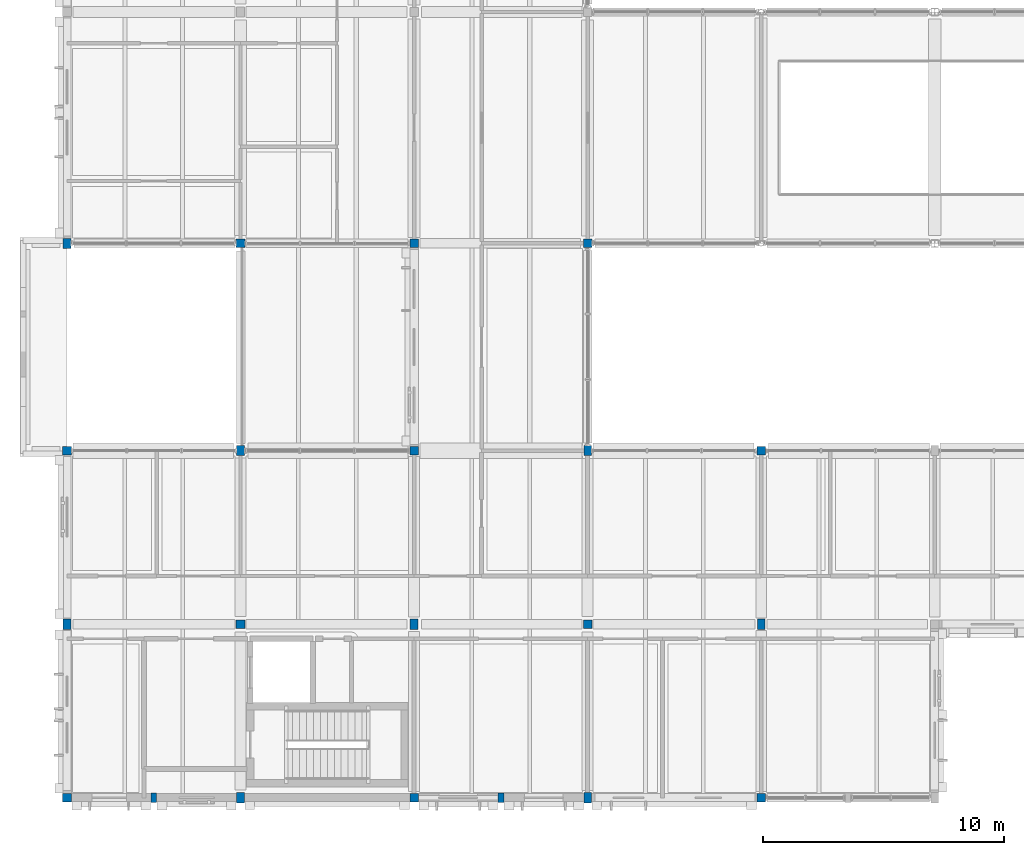
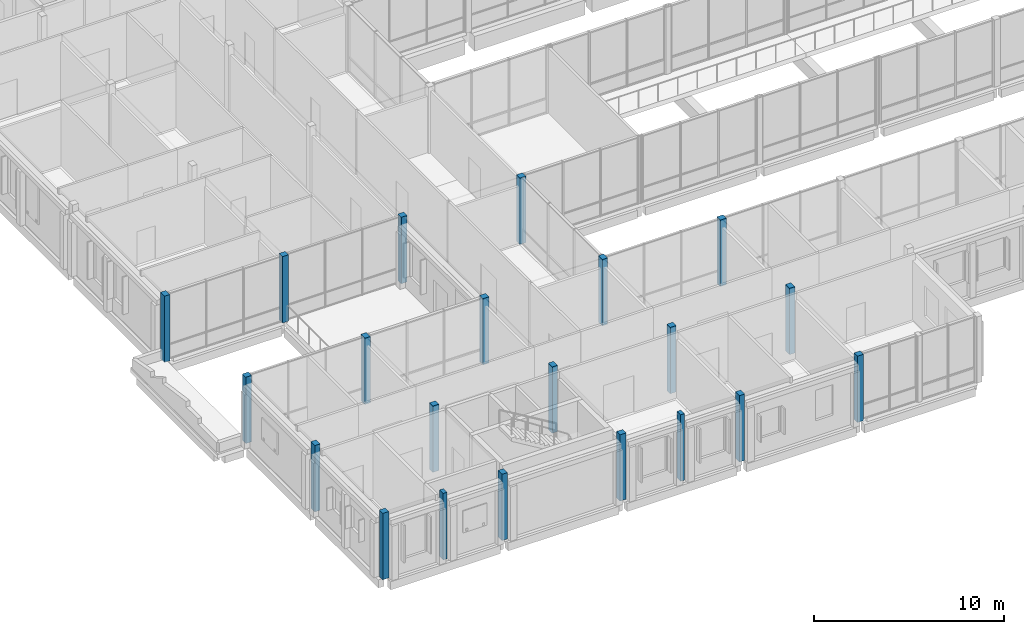
# One storey, part 1 of 146: 21 columns.
"""IFC4 building model written with IfcOpenShell, lengths in metres."""

from ifc_helpers import new_model, si_unit, direction, frame, origin, origin_2d, place, context, subcontext, project, spatial, rectangle, extrude, material, material_profile, profile_set, type_object, element, save


model = new_model("IFC4")

# Units and contexts
model_context = context("Model", 3, precision=1e-05, world=origin(), true_north=direction((0.0, 1.0)))
body_context = subcontext(model_context, "Body", "Model", "MODEL_VIEW")
ifc_project = project(units=[si_unit("LENGTHUNIT", "METRE"), si_unit("AREAUNIT", "SQUARE_METRE"), si_unit("VOLUMEUNIT", "CUBIC_METRE"), si_unit("PLANEANGLEUNIT", "RADIAN"), si_unit("MASSUNIT", "GRAM", prefix="KILO")], contexts=[model_context])

# Site, building, storey
site_placement = place(None, origin())
site = spatial("IfcSite", under=ifc_project, at=site_placement, CompositionType="ELEMENT")
building_placement = place(site_placement, origin())
building = spatial("IfcBuilding", under=site, at=building_placement, Name="Hawrajan Terrace Health Centre", CompositionType="ELEMENT")
storey_placement = place(building_placement, frame((0.0, 0.0, 4.5)))
storey = spatial("IfcBuildingStorey", under=building, at=storey_placement, Name="L01", CompositionType="ELEMENT", Elevation=4.5)

# Columns
ifc_material = material(Name="Glulam GL32h", Category="wood")
ifc_material_profile_1 = material_profile(ifc_material, rectangle(XDim=0.320068359375, YDim=0.419921875, at=origin_2d()), Name="GL 320x420")
ifc_profile_set_1 = profile_set([ifc_material_profile_1], Name="Glulam GL32h")
column_type_1 = type_object("IfcColumnType", Name="GlulamCol_320x420", PredefinedType="COLUMN", material=ifc_profile_set_1)
for number, where, z_axis, x_axis, name in (
    (1, (4.60009765625, 11.39990234375, 0.0), (0.0, 0.0, 1.0), (1.0, 0.0, 0.0), "Column COL-L01-W-X01-Y2"),
    (2, (4.60009765625, 27.199951171875, 0.0), (0.0, 0.0, 1.0), (1.0, 0.0, 0.0), "Column COL-L01-W-X01-Y4"),
    (3, (11.800048828125, 4.199951171875, 0.0), (0.0, 0.0, 1.0), (1.0, 0.0, 0.0), "Column COL-L01-W-X02-Y1"),
    (4, (11.800048828125, 18.60009765625, 0.0), (0.0, 0.0, 1.0), (1.0, 0.0, 0.0), "Column COL-L01-W-X02-Y3"),
    (5, (19.0, 11.39990234375, 0.0), (0.0, 0.0, 1.0), (1.0, 0.0, 0.0), "Column COL-L01-W-X03-Y2"),
    (6, (26.199951171875, 4.199951171875, 0.0), (0.0, 0.0, 1.0), (1.0, 0.0, 0.0), "Column COL-L01-W-X04-Y1"),
    (7, (26.199951171875, 18.60009765625, 0.0), (0.0, 0.0, 1.0), (1.0, 0.0, 0.0), "Column COL-L01-W-X04-Y3"),
    (8, (33.39990234375, 11.39990234375, 0.0), (0.0, 0.0, 1.0), (1.0, 0.0, 0.0), "Column COL-L01-W-X05-Y2"),
):
    element("IfcColumn", number, at=place(storey_placement, frame(where, z_axis=z_axis, x_axis=x_axis)), inside=storey, type_object=column_type_1, Name=name, PredefinedType="COLUMN", context=body_context, shape_type="SweptSolid", body=[
        extrude(rectangle(XDim=0.320068359375, YDim=0.419921875, at=origin_2d()), origin(), (0.0, 0.0, 1.0), 4.260009765625),
    ])
ifc_material_profile_2 = material_profile(ifc_material, rectangle(XDim=0.360107421875, YDim=0.360107421875, at=origin_2d()), Name="GL 360x360")
ifc_profile_set_2 = profile_set([ifc_material_profile_2], Name="Glulam GL32h")
column_type_2 = type_object("IfcColumnType", Name="GlulamCol_360x360", PredefinedType="COLUMN", material=ifc_profile_set_2)
for number, where, z_axis, x_axis, name in (
    (9, (4.60009765625, 4.199951171875, 0.0), (0.0, 0.0, 1.0), (1.0, 0.0, 0.0), "Column COL-L01-W-X01-Y1"),
    (10, (4.60009765625, 18.60009765625, 0.0), (0.0, 0.0, 1.0), (1.0, 0.0, 0.0), "Column COL-L01-W-X01-Y3"),
    (11, (11.800048828125, 11.39990234375, 0.0), (0.0, 0.0, 1.0), (1.0, 0.0, 0.0), "Column COL-L01-W-X02-Y2"),
    (12, (11.800048828125, 27.199951171875, 0.0), (0.0, 0.0, 1.0), (1.0, 0.0, 0.0), "Column COL-L01-W-X02-Y4"),
    (13, (19.0, 4.199951171875, 0.0), (0.0, 0.0, 1.0), (1.0, 0.0, 0.0), "Column COL-L01-W-X03-Y1"),
    (14, (19.0, 18.60009765625, 0.0), (0.0, 0.0, 1.0), (1.0, 0.0, 0.0), "Column COL-L01-W-X03-Y3"),
    (15, (19.0, 27.199951171875, 0.0), (0.0, 0.0, 1.0), (1.0, 0.0, 0.0), "Column COL-L01-W-X03-Y4"),
    (16, (26.199951171875, 11.39990234375, 0.0), (0.0, 0.0, 1.0), (1.0, 0.0, 0.0), "Column COL-L01-W-X04-Y2"),
    (17, (26.199951171875, 27.199951171875, 0.0), (0.0, 0.0, 1.0), (1.0, 0.0, 0.0), "Column COL-L01-W-X04-Y4"),
    (18, (33.39990234375, 4.199951171875, 0.0), (0.0, 0.0, 1.0), (1.0, 0.0, 0.0), "Column COL-L01-W-X05-Y1"),
    (19, (33.39990234375, 18.60009765625, 0.0), (0.0, 0.0, 1.0), (1.0, 0.0, 0.0), "Column COL-L01-W-X05-Y3"),
):
    element("IfcColumn", number, at=place(storey_placement, frame(where, z_axis=z_axis, x_axis=x_axis)), inside=storey, type_object=column_type_2, Name=name, PredefinedType="COLUMN", context=body_context, shape_type="SweptSolid", body=[
        extrude(rectangle(XDim=0.360107421875, YDim=0.360107421875, at=origin_2d()), origin(), (0.0, 0.0, 1.0), 4.260009765625),
    ])
ifc_material_profile_3 = material_profile(ifc_material, rectangle(XDim=0.239990234375, YDim=0.3798828125, at=origin_2d()), Name="GL PIL 240x380")
ifc_profile_set_3 = profile_set([ifc_material_profile_3], Name="Glulam GL32h")
column_type_3 = type_object("IfcColumnType", Name="GlulamPilaster_240x380", PredefinedType="PILASTER", material=ifc_profile_set_3)
for number, where, z_axis, x_axis, name in (
    (20, (8.199951171875, 4.199951171875, 0.0), (0.0, 0.0, 1.0), (1.0, 0.0, 0.0), "Art Deco fluted pilaster L01-01-Y1"),
    (21, (22.60009765625, 4.199951171875, 0.0), (0.0, 0.0, 1.0), (1.0, 0.0, 0.0), "Art Deco fluted pilaster L01-03-Y1"),
):
    element("IfcColumn", number, at=place(storey_placement, frame(where, z_axis=z_axis, x_axis=x_axis)), inside=storey, type_object=column_type_3, Name=name, PredefinedType="PILASTER", context=body_context, shape_type="SweptSolid", body=[
        extrude(rectangle(XDim=0.239990234375, YDim=0.3798828125, at=origin_2d()), origin(), (0.0, 0.0, 1.0), 4.260009765625),
    ])

save(model, "model.ifc")
